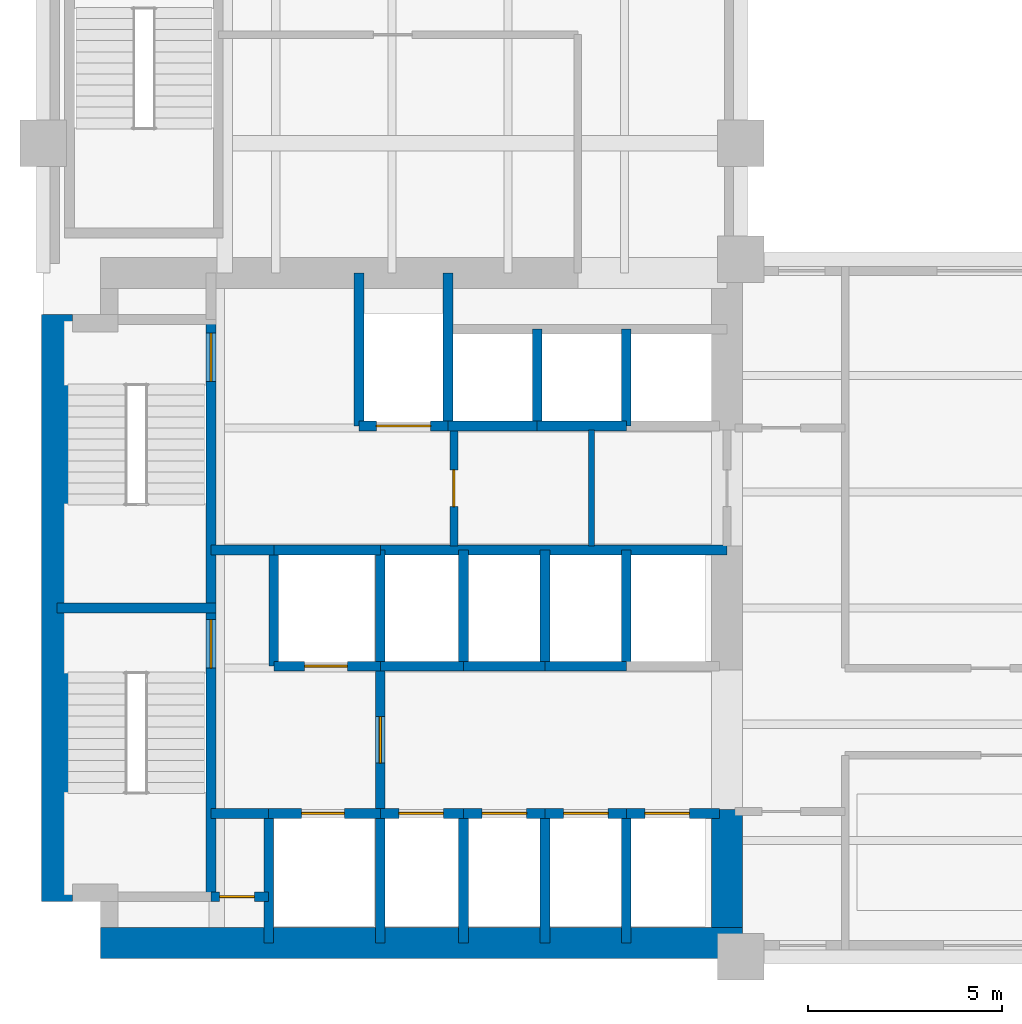
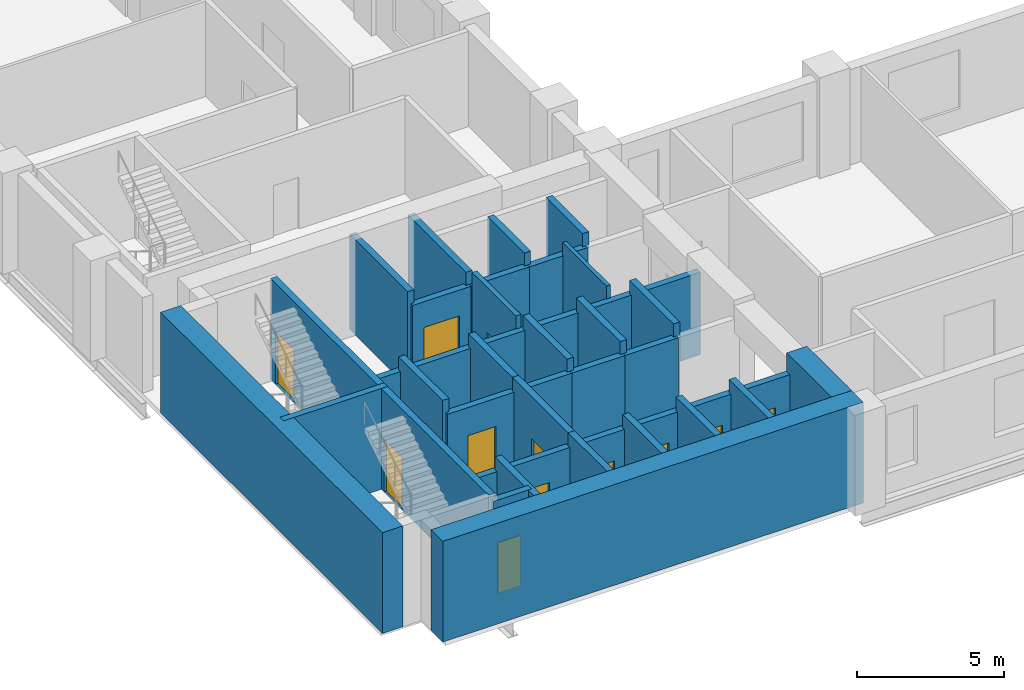
# One storey, part 3 of 7: 40 walls, 12 doors, 12 openings.
"""IFC4 building model written with IfcOpenShell, lengths in metres."""

from ifc_helpers import new_model, si_unit, direction, frame, frame_2d, origin, place, context, subcontext, project, spatial, rectangle, extrude, material, layer, layer_set, type_object, element, fill, save


model = new_model("IFC4")

# Units and contexts
model_context = context("Model", 3, precision=1e-05, world=origin(), true_north=direction((0.0, 1.0)))
body_context = subcontext(model_context, "Body", "Model", "MODEL_VIEW")
ifc_project = project(units=[si_unit("LENGTHUNIT", "METRE"), si_unit("AREAUNIT", "SQUARE_METRE"), si_unit("VOLUMEUNIT", "CUBIC_METRE"), si_unit("PLANEANGLEUNIT", "RADIAN"), si_unit("MASSUNIT", "GRAM", prefix="KILO")], contexts=[model_context])

# Site, building, storey
site_placement = place(None, origin())
site = spatial("IfcSite", under=ifc_project, at=site_placement, CompositionType="ELEMENT")
building_placement = place(site_placement, origin())
building = spatial("IfcBuilding", under=site, at=building_placement, Name="Mawjdan Bourse Tower", CompositionType="ELEMENT")
storey_placement = place(building_placement, frame((0.0, 0.0, 30.0)))
storey = spatial("IfcBuildingStorey", under=building, at=storey_placement, Name="L06", CompositionType="ELEMENT", Elevation=30.0)

# Wall, opening, door
ifc_material_1 = material(Name="Gypsum Fireboard Assembly")
ifc_layer_1 = layer(ifc_material_1, 0.199951171875)
ifc_layer_set_1 = layer_set([ifc_layer_1], Name="Gypsum Fireboard Assembly")
wall_type_1 = type_object("IfcWallType", Name="WL-CMP-200", PredefinedType="PARTITIONING", material=ifc_layer_set_1)
wall_1_placement = place(storey_placement, frame((16.60009765625, 13.60009765625, 0.0), z_axis=(0.0, 0.0, 1.0), x_axis=(0.0, 1.0, 0.0)))
wall_1 = element("IfcWall", 1, at=wall_1_placement, inside=storey, type_object=wall_type_1, Name="L06 Core Restroom West Wall", PredefinedType="PARTITIONING", context=body_context, shape_type="SweptSolid", body=[
    extrude(rectangle(XDim=3.0, YDim=0.199951171875, at=frame_2d((1.5, 0.0))), origin(), (0.0, 0.0, 1.0), 3.969970703125),
])
opening_1_placement = place(wall_1_placement, frame((1.02001953125, 0.0, 0.0)))
opening_1 = element("IfcOpeningElement", 2, at=opening_1_placement, cuts=wall_1, Name="Opening D-L06-14", PredefinedType="OPENING", context=body_context, shape_type="SweptSolid", body=[
    extrude(rectangle(XDim=0.949951171875, YDim=2.10009765625, at=frame_2d((0.47509765625, 1.050048828125))), frame((0.0, 0.10986328125, 0.0), z_axis=(0.0, -1.0, 0.0), x_axis=(1.0, 0.0, 0.0)), (0.0, 0.0, 1.0), 0.219970703125),
])
ifc_material_2 = material(Name="Moisture-Resistant Laminate Timber", Category="wood")
door_type_1 = type_object("IfcDoorType", Name="DR-WET-0950", OperationType="NOTDEFINED", PredefinedType="DOOR", material=ifc_material_2)
door_1_placement = place(opening_1_placement, origin())
door_1 = element("IfcDoor", 3, at=door_1_placement, inside=storey, type_object=door_type_1, Name="L06 Female Restroom Entry Door D-L06-14", OperationType="SINGLE_SWING_LEFT", OverallHeight=2.10009765625, OverallWidth=0.949951171875, PredefinedType="DOOR", context=body_context, shape_type="SweptSolid", body=[
    extrude(rectangle(XDim=0.949951171875, YDim=2.10009765625, at=frame_2d((0.47509765625, 1.050048828125))), frame((0.0, 0.02490234375, 0.0), z_axis=(0.0, -1.0, 0.0), x_axis=(1.0, 0.0, 0.0)), (0.0, 0.0, 1.0), 0.050048828125),
])
fill(opening_1, door_1)

# Walls
ifc_material_3 = material(Name="Concrete C80/95", Category="concrete")
ifc_layer_2 = layer(ifc_material_3, 0.800048828125)
ifc_layer_set_2 = layer_set([ifc_layer_2], Name="Concrete C80/95")
wall_type_2 = type_object("IfcWallType", Name="WL-CORE-800", PredefinedType="SHEAR", material=ifc_layer_set_2)
wall_2_placement = place(storey_placement, frame((7.47509765625, 3.35009765625, 0.0), z_axis=(0.0, 0.0, 1.0), x_axis=(1.0, 0.0, 0.0)))
element("IfcWall", 4, at=wall_2_placement, inside=storey, type_object=wall_type_2, Name="L06 Rear Core Shear Wall S", PredefinedType="SHEAR", context=body_context, shape_type="SweptSolid", body=[
    extrude(rectangle(XDim=16.574951171875, YDim=0.800048828125, at=frame_2d((8.28759765625, 0.0))), origin(), (0.0, 0.0, 1.0), 4.199951171875),
])
wall_3_placement = place(storey_placement, frame((6.35009765625, 4.425048828125, 0.0), z_axis=(0.0, 0.0, 1.0), x_axis=(0.0, 1.0, 0.0)))
element("IfcWall", 5, at=wall_3_placement, inside=storey, type_object=wall_type_2, Name="L06 Rear Core Shear Wall W", PredefinedType="SHEAR", context=body_context, shape_type="SweptSolid", body=[
    extrude(rectangle(XDim=15.14990234375, YDim=0.800048828125, at=frame_2d((7.574951171875, 0.0))), origin(), (0.0, 0.0, 1.0), 4.199951171875),
])
wall_4_placement = place(storey_placement, frame((23.64990234375, 3.75, 0.0), z_axis=(0.0, 0.0, 1.0), x_axis=(0.0, 1.0, 0.0)))
element("IfcWall", 6, at=wall_4_placement, inside=storey, type_object=wall_type_2, Name="L06 Rear Core Shear Wall E1", PredefinedType="SHEAR", context=body_context, shape_type="SweptSolid", body=[
    extrude(rectangle(XDim=3.050048828125, YDim=0.800048828125, at=frame_2d((1.52490234375, 0.0))), origin(), (0.0, 0.0, 1.0), 4.199951171875),
])
ifc_material_4 = material(Name="Gypsum Acoustic Partition")
ifc_layer_3 = layer(ifc_material_4, 0.14990234375)
ifc_layer_set_3 = layer_set([ifc_layer_3], Name="Gypsum Acoustic Partition")
wall_type_3 = type_object("IfcWallType", Name="WL-PRT-150", PredefinedType="PARTITIONING", material=ifc_layer_set_3)
wall_5_placement = place(storey_placement, frame((20.14990234375, 13.60009765625, 0.0), z_axis=(0.0, 0.0, 1.0), x_axis=(0.0, 1.0, 0.0)))
element("IfcWall", 7, at=wall_5_placement, inside=storey, type_object=wall_type_3, Name="L06 Core Restroom Vertical Split", PredefinedType="PARTITIONING", context=body_context, shape_type="SweptSolid", body=[
    extrude(rectangle(XDim=3.0, YDim=0.14990234375, at=frame_2d((1.5, 0.0))), origin(), (0.0, 0.0, 1.0), 3.969970703125),
])

# Wall, opening, door
ifc_material_5 = material(Name="Concrete C50/60", Category="concrete")
ifc_layer_4 = layer(ifc_material_5, 0.25)
ifc_layer_set_4 = layer_set([ifc_layer_4], Name="Concrete C50/60")
wall_type_4 = type_object("IfcWallType", Name="WL-SHFT-250", PredefinedType="PARTITIONING", material=ifc_layer_set_4)
wall_6_placement = place(storey_placement, frame((10.330078125, 4.550048828125, 0.0), z_axis=(0.0, 0.0, 1.0), x_axis=(1.0, 0.0, 0.0)))
wall_6 = element("IfcWall", 8, at=wall_6_placement, inside=storey, type_object=wall_type_4, Name="L06 SW Riser North Wall", PredefinedType="PARTITIONING", context=body_context, shape_type="SweptSolid", body=[
    extrude(rectangle(XDim=1.489990234375, YDim=0.25, at=frame_2d((0.7451171875, 0.0))), origin(), (0.0, 0.0, 1.0), 3.969970703125),
])
opening_2_placement = place(wall_6_placement, frame((0.219970703125, 0.0, 0.0)))
opening_2 = element("IfcOpeningElement", 9, at=opening_2_placement, cuts=wall_6, Name="Opening RD-L06-03", PredefinedType="OPENING", context=body_context, shape_type="SweptSolid", body=[
    extrude(rectangle(XDim=0.89990234375, YDim=2.10009765625, at=frame_2d((0.449951171875, 1.050048828125))), frame((0.0, 0.135009765625, 0.0), z_axis=(0.0, -1.0, 0.0), x_axis=(1.0, 0.0, 0.0)), (0.0, 0.0, 1.0), 0.27001953125),
])
ifc_material_6 = material(Name="Fire-Rated Steel Access Leaf", Category="steel")
door_type_2 = type_object("IfcDoorType", Name="FD-RSR-0900", OperationType="NOTDEFINED", PredefinedType="TRAPDOOR", material=ifc_material_6)
door_2_placement = place(opening_2_placement, origin())
door_2 = element("IfcDoor", 10, at=door_2_placement, inside=storey, type_object=door_type_2, Name="L06 Electrical Riser Access Door RD-L06-03", OperationType="SINGLE_SWING_LEFT", OverallHeight=2.10009765625, OverallWidth=0.89990234375, PredefinedType="TRAPDOOR", context=body_context, shape_type="SweptSolid", body=[
    extrude(rectangle(XDim=0.89990234375, YDim=2.10009765625, at=frame_2d((0.449951171875, 1.050048828125))), frame((0.0, 0.02490234375, 0.0), z_axis=(0.0, -1.0, 0.0), x_axis=(1.0, 0.0, 0.0)), (0.0, 0.0, 1.0), 0.050048828125),
])
fill(opening_2, door_2)

# Wall
wall_7_placement = place(storey_placement, frame((11.820068359375, 3.35009765625, 0.0), z_axis=(0.0, 0.0, 1.0), x_axis=(0.0, 1.0, 0.0)))
element("IfcWall", 11, at=wall_7_placement, inside=storey, type_object=wall_type_4, Name="L06 SW Riser & FFL01 West Wall", PredefinedType="PARTITIONING", context=body_context, shape_type="SweptSolid", body=[
    extrude(rectangle(XDim=3.349853515625, YDim=0.25, at=frame_2d((1.6748046875, 0.0))), origin(), (0.0, 0.0, 1.0), 3.969970703125),
])

# Wall, opening, door
wall_8_placement = place(storey_placement, frame((11.820068359375, 6.699951171875, 0.0), z_axis=(0.0, 0.0, 1.0), x_axis=(1.0, 0.0, 0.0)))
wall_8 = element("IfcWall", 12, at=wall_8_placement, inside=storey, type_object=wall_type_4, Name="L06 FFL-01 Front Shaft Wall", PredefinedType="PARTITIONING", context=body_context, shape_type="SweptSolid", body=[
    extrude(rectangle(XDim=2.8798828125, YDim=0.25, at=frame_2d((1.43994140625, 0.0))), origin(), (0.0, 0.0, 1.0), 3.426025390625),
])
opening_3_placement = place(wall_8_placement, frame((0.85009765625, 0.0, 0.0)))
opening_3 = element("IfcOpeningElement", 13, at=opening_3_placement, cuts=wall_8, Name="Opening LD-L06-05", PredefinedType="OPENING", context=body_context, shape_type="SweptSolid", body=[
    extrude(rectangle(XDim=1.10009765625, YDim=2.25, at=frame_2d((0.550048828125, 1.125))), frame((0.0, 0.135009765625, 0.0), z_axis=(0.0, -1.0, 0.0), x_axis=(1.0, 0.0, 0.0)), (0.0, 0.0, 1.0), 0.27001953125),
])
ifc_material_7 = material(Name="Brushed Stainless Steel", Category="steel")
door_type_3 = type_object("IfcDoorType", Name="LD-FFL-1100", OperationType="DOUBLE_DOOR_SLIDING", PredefinedType="DOOR", material=ifc_material_7)
door_3_placement = place(opening_3_placement, origin())
door_3 = element("IfcDoor", 14, at=door_3_placement, inside=storey, type_object=door_type_3, Name="L06 Firefighting Lift FFL-01 Landing Door LD-L06-05", OperationType="DOUBLE_DOOR_SLIDING", OverallHeight=2.25, OverallWidth=1.10009765625, PredefinedType="DOOR", context=body_context, shape_type="SweptSolid", body=[
    extrude(rectangle(XDim=1.10009765625, YDim=2.25, at=frame_2d((0.550048828125, 1.125))), frame((0.0, 0.02490234375, 0.0), z_axis=(0.0, -1.0, 0.0), x_axis=(1.0, 0.0, 0.0)), (0.0, 0.0, 1.0), 0.050048828125),
])
fill(opening_3, door_3)

# Wall
wall_9_placement = place(storey_placement, frame((14.699951171875, 3.35009765625, 0.0), z_axis=(0.0, 0.0, 1.0), x_axis=(0.0, 1.0, 0.0)))
element("IfcWall", 15, at=wall_9_placement, inside=storey, type_object=wall_type_4, Name="L06 FFL-01 East Shaft Wall", PredefinedType="PARTITIONING", context=body_context, shape_type="SweptSolid", body=[
    extrude(rectangle(XDim=3.349853515625, YDim=0.25, at=frame_2d((1.6748046875, 0.0))), origin(), (0.0, 0.0, 1.0), 3.969970703125),
])

# Wall, opening, door
wall_10_placement = place(storey_placement, frame((11.949951171875, 10.5, 0.0), z_axis=(0.0, 0.0, 1.0), x_axis=(1.0, 0.0, 0.0)))
wall_10 = element("IfcWall", 16, at=wall_10_placement, inside=storey, type_object=wall_type_4, Name="L06 FFL-02 Front Shaft Wall", PredefinedType="PARTITIONING", context=body_context, shape_type="SweptSolid", body=[
    extrude(rectangle(XDim=2.75, YDim=0.25, at=frame_2d((1.375, 0.0))), origin(), (0.0, 0.0, 1.0), 3.426025390625),
])
opening_4_placement = place(wall_10_placement, frame((0.800048828125, 0.0, 0.0)))
opening_4 = element("IfcOpeningElement", 17, at=opening_4_placement, cuts=wall_10, Name="Opening LD-L06-06", PredefinedType="OPENING", context=body_context, shape_type="SweptSolid", body=[
    extrude(rectangle(XDim=1.10009765625, YDim=2.25, at=frame_2d((0.550048828125, 1.125))), frame((0.0, 0.135009765625, 0.0), z_axis=(0.0, -1.0, 0.0), x_axis=(1.0, 0.0, 0.0)), (0.0, 0.0, 1.0), 0.27001953125),
])
door_4_placement = place(opening_4_placement, origin())
door_4 = element("IfcDoor", 18, at=door_4_placement, inside=storey, type_object=door_type_3, Name="L06 Firefighting Lift FFL-02 Landing Door LD-L06-06", OperationType="DOUBLE_DOOR_SLIDING", OverallHeight=2.25, OverallWidth=1.10009765625, PredefinedType="DOOR", context=body_context, shape_type="SweptSolid", body=[
    extrude(rectangle(XDim=1.10009765625, YDim=2.25, at=frame_2d((0.550048828125, 1.125))), frame((0.0, 0.02490234375, 0.0), z_axis=(0.0, -1.0, 0.0), x_axis=(1.0, 0.0, 0.0)), (0.0, 0.0, 1.0), 0.050048828125),
])
fill(opening_4, door_4)

# Walls
wall_11_placement = place(storey_placement, frame((11.949951171875, 10.5, 0.0), z_axis=(0.0, 0.0, 1.0), x_axis=(0.0, 1.0, 0.0)))
element("IfcWall", 19, at=wall_11_placement, inside=storey, type_object=wall_type_4, Name="L06 FFL-02 West Shaft Wall", PredefinedType="PARTITIONING", context=body_context, shape_type="SweptSolid", body=[
    extrude(rectangle(XDim=3.0, YDim=0.25, at=frame_2d((1.5, 0.0))), origin(), (0.0, 0.0, 1.0), 3.969970703125),
])
wall_12_placement = place(storey_placement, frame((11.949951171875, 13.5, 0.0), z_axis=(0.0, 0.0, 1.0), x_axis=(1.0, 0.0, 0.0)))
element("IfcWall", 20, at=wall_12_placement, inside=storey, type_object=wall_type_4, Name="L06 FFL-02 North Shaft Wall", PredefinedType="PARTITIONING", context=body_context, shape_type="SweptSolid", body=[
    extrude(rectangle(XDim=2.75, YDim=0.25, at=frame_2d((1.375, 0.0))), origin(), (0.0, 0.0, 1.0), 3.426025390625),
])
wall_13_placement = place(storey_placement, frame((14.699951171875, 10.5, 0.0), z_axis=(0.0, 0.0, 1.0), x_axis=(0.0, 1.0, 0.0)))
element("IfcWall", 21, at=wall_13_placement, inside=storey, type_object=wall_type_4, Name="L06 FFL-02 East Shaft Wall", PredefinedType="PARTITIONING", context=body_context, shape_type="SweptSolid", body=[
    extrude(rectangle(XDim=3.0, YDim=0.25, at=frame_2d((1.5, 0.0))), origin(), (0.0, 0.0, 1.0), 3.969970703125),
])

# Wall, opening, door
wall_14_placement = place(storey_placement, frame((14.699951171875, 6.699951171875, 0.0), z_axis=(0.0, 0.0, 1.0), x_axis=(0.0, 1.0, 0.0)))
wall_14 = element("IfcWall", 22, at=wall_14_placement, inside=storey, type_object=wall_type_4, Name="L06 Firefighting Lobby East Compartment Wall", PredefinedType="PARTITIONING", context=body_context, shape_type="SweptSolid", body=[
    extrude(rectangle(XDim=3.800048828125, YDim=0.25, at=frame_2d((1.89990234375, 0.0))), origin(), (0.0, 0.0, 1.0), 3.969970703125),
])
opening_5_placement = place(wall_14_placement, frame((1.300048828125, 0.0, 0.0)))
opening_5 = element("IfcOpeningElement", 23, at=opening_5_placement, cuts=wall_14, Name="Opening FD-L06-07", PredefinedType="OPENING", context=body_context, shape_type="SweptSolid", body=[
    extrude(rectangle(XDim=1.199951171875, YDim=2.199951171875, at=frame_2d((0.60009765625, 1.10009765625))), frame((0.0, 0.135009765625, 0.0), z_axis=(0.0, -1.0, 0.0), x_axis=(1.0, 0.0, 0.0)), (0.0, 0.0, 1.0), 0.27001953125),
])
ifc_material_8 = material(Name="Fire-Rated Steel Leaf", Category="steel")
door_type_4 = type_object("IfcDoorType", Name="FD-FFL-1200", OperationType="NOTDEFINED", PredefinedType="DOOR", material=ifc_material_8)
door_5_placement = place(opening_5_placement, origin())
door_5 = element("IfcDoor", 24, at=door_5_placement, inside=storey, type_object=door_type_4, Name="L06 Firefighting Lobby East Smoke Door FD-L06-07", OperationType="SINGLE_SWING_LEFT", OverallHeight=2.199951171875, OverallWidth=1.199951171875, PredefinedType="DOOR", context=body_context, shape_type="SweptSolid", body=[
    extrude(rectangle(XDim=1.199951171875, YDim=2.199951171875, at=frame_2d((0.60009765625, 1.10009765625))), frame((0.0, 0.02490234375, 0.0), z_axis=(0.0, -1.0, 0.0), x_axis=(1.0, 0.0, 0.0)), (0.0, 0.0, 1.0), 0.050048828125),
])
fill(opening_5, door_5)

# Walls
wall_15_placement = place(storey_placement, frame((10.330078125, 13.5, 0.0), z_axis=(0.0, 0.0, 1.0), x_axis=(1.0, 0.0, 0.0)))
element("IfcWall", 25, at=wall_15_placement, inside=storey, type_object=wall_type_4, Name="L06 Firefighting Lobby North Compartment Wall", PredefinedType="PARTITIONING", context=body_context, shape_type="SweptSolid", body=[
    extrude(rectangle(XDim=1.619873046875, YDim=0.25, at=frame_2d((0.81005859375, 0.0))), origin(), (0.0, 0.0, 1.0), 3.426025390625),
])
wall_16_placement = place(storey_placement, frame((10.330078125, 6.699951171875, 0.0), z_axis=(0.0, 0.0, 1.0), x_axis=(1.0, 0.0, 0.0)))
element("IfcWall", 26, at=wall_16_placement, inside=storey, type_object=wall_type_4, Name="L06 Firefighting Lobby South Closure Wall", PredefinedType="PARTITIONING", context=body_context, shape_type="SweptSolid", body=[
    extrude(rectangle(XDim=1.489990234375, YDim=0.25, at=frame_2d((0.7451171875, 0.0))), origin(), (0.0, 0.0, 1.0), 3.426025390625),
])

# Wall, opening, door
wall_17_placement = place(storey_placement, frame((14.14990234375, 16.699951171875, 0.0), z_axis=(0.0, 0.0, 1.0), x_axis=(1.0, 0.0, 0.0)))
wall_17 = element("IfcWall", 27, at=wall_17_placement, inside=storey, type_object=wall_type_4, Name="L06 SVL-01 Front Shaft Wall", PredefinedType="PARTITIONING", context=body_context, shape_type="SweptSolid", body=[
    extrude(rectangle(XDim=2.300048828125, YDim=0.25, at=frame_2d((1.14990234375, 0.0))), origin(), (0.0, 0.0, 1.0), 3.426025390625),
])
opening_6_placement = place(wall_17_placement, frame((0.449951171875, 0.0, 0.0)))
opening_6 = element("IfcOpeningElement", 28, at=opening_6_placement, cuts=wall_17, Name="Opening LD-L06-09", PredefinedType="OPENING", context=body_context, shape_type="SweptSolid", body=[
    extrude(rectangle(XDim=1.39990234375, YDim=2.35009765625, at=frame_2d((0.699951171875, 1.175048828125))), frame((0.0, 0.135009765625, 0.0), z_axis=(0.0, -1.0, 0.0), x_axis=(1.0, 0.0, 0.0)), (0.0, 0.0, 1.0), 0.27001953125),
])
ifc_material_9 = material(Name="Heavy-Duty Stainless Steel", Category="steel")
door_type_5 = type_object("IfcDoorType", Name="LD-SRV-1400", OperationType="DOUBLE_DOOR_SLIDING", PredefinedType="DOOR", material=ifc_material_9)
door_6_placement = place(opening_6_placement, origin())
door_6 = element("IfcDoor", 29, at=door_6_placement, inside=storey, type_object=door_type_5, Name="L06 Service Lift SVL-01 Landing Door LD-L06-09", OperationType="DOUBLE_DOOR_SLIDING", OverallHeight=2.35009765625, OverallWidth=1.39990234375, PredefinedType="DOOR", context=body_context, shape_type="SweptSolid", body=[
    extrude(rectangle(XDim=1.39990234375, YDim=2.35009765625, at=frame_2d((0.699951171875, 1.175048828125))), frame((0.0, 0.02490234375, 0.0), z_axis=(0.0, -1.0, 0.0), x_axis=(1.0, 0.0, 0.0)), (0.0, 0.0, 1.0), 0.050048828125),
])
fill(opening_6, door_6)

# Walls
for number, where, z_axis, x_axis, name in (
    (30, (14.14990234375, 16.699951171875, 0.0), (0.0, 0.0, 1.0), (0.0, 1.0, 0.0), "L06 SVL-01 West Shaft Wall"),
    (31, (16.449951171875, 16.699951171875, 0.0), (0.0, 0.0, 1.0), (0.0, 1.0, 0.0), "L06 SVL-01 East Shaft Wall"),
):
    element("IfcWall", number, at=place(storey_placement, frame(where, z_axis=z_axis, x_axis=x_axis)), inside=storey, type_object=wall_type_4, Name=name, PredefinedType="PARTITIONING", context=body_context, shape_type="SweptSolid", body=[
        extrude(rectangle(XDim=3.949951171875, YDim=0.25, at=frame_2d((1.97509765625, 0.0))), origin(), (0.0, 0.0, 1.0), 3.969970703125),
    ])
wall_18_placement = place(storey_placement, frame((16.449951171875, 16.699951171875, 0.0), z_axis=(0.0, 0.0, 1.0), x_axis=(1.0, 0.0, 0.0)))
element("IfcWall", 32, at=wall_18_placement, inside=storey, type_object=wall_type_4, Name="L06 PH-01 Front Wall", PredefinedType="PARTITIONING", context=body_context, shape_type="SweptSolid", body=[
    extrude(rectangle(XDim=2.300048828125, YDim=0.25, at=frame_2d((1.14990234375, 0.0))), origin(), (0.0, 0.0, 1.0), 3.426025390625),
])
wall_19_placement = place(storey_placement, frame((18.75, 16.699951171875, 0.0), z_axis=(0.0, 0.0, 1.0), x_axis=(0.0, 1.0, 0.0)))
element("IfcWall", 33, at=wall_19_placement, inside=storey, type_object=wall_type_4, Name="L06 PH-01 Divider Wall", PredefinedType="PARTITIONING", context=body_context, shape_type="SweptSolid", body=[
    extrude(rectangle(XDim=2.5, YDim=0.25, at=frame_2d((1.25, 0.0))), origin(), (0.0, 0.0, 1.0), 3.969970703125),
])
wall_20_placement = place(storey_placement, frame((18.75, 16.699951171875, 0.0), z_axis=(0.0, 0.0, 1.0), x_axis=(1.0, 0.0, 0.0)))
element("IfcWall", 34, at=wall_20_placement, inside=storey, type_object=wall_type_4, Name="L06 PH-02 Front Wall", PredefinedType="PARTITIONING", context=body_context, shape_type="SweptSolid", body=[
    extrude(rectangle(XDim=2.300048828125, YDim=0.25, at=frame_2d((1.14990234375, 0.0))), origin(), (0.0, 0.0, 1.0), 3.426025390625),
])
wall_21_placement = place(storey_placement, frame((21.050048828125, 16.699951171875, 0.0), z_axis=(0.0, 0.0, 1.0), x_axis=(0.0, 1.0, 0.0)))
element("IfcWall", 35, at=wall_21_placement, inside=storey, type_object=wall_type_4, Name="L06 PH-02 Divider Wall", PredefinedType="PARTITIONING", context=body_context, shape_type="SweptSolid", body=[
    extrude(rectangle(XDim=2.5, YDim=0.25, at=frame_2d((1.25, 0.0))), origin(), (0.0, 0.0, 1.0), 3.969970703125),
])

# Wall, opening, door
wall_22_placement = place(storey_placement, frame((14.699951171875, 6.699951171875, 0.0), z_axis=(0.0, 0.0, 1.0), x_axis=(1.0, 0.0, 0.0)))
wall_22 = element("IfcWall", 36, at=wall_22_placement, inside=storey, type_object=wall_type_4, Name="L06 PL-04 Front Wall", PredefinedType="PARTITIONING", context=body_context, shape_type="SweptSolid", body=[
    extrude(rectangle(XDim=2.150146484375, YDim=0.25, at=frame_2d((1.0751953125, 0.0))), origin(), (0.0, 0.0, 1.0), 3.426025390625),
])
opening_7_placement = place(wall_22_placement, frame((0.47998046875, 0.0, 0.0)))
opening_7 = element("IfcOpeningElement", 37, at=opening_7_placement, cuts=wall_22, Name="Opening LD-L06-10", PredefinedType="OPENING", context=body_context, shape_type="SweptSolid", body=[
    extrude(rectangle(XDim=1.14990234375, YDim=2.25, at=frame_2d((0.574951171875, 1.125))), frame((0.0, 0.135009765625, 0.0), z_axis=(0.0, -1.0, 0.0), x_axis=(1.0, 0.0, 0.0)), (0.0, 0.0, 1.0), 0.27001953125),
])
door_type_6 = type_object("IfcDoorType", Name="LD-PAS-1150", OperationType="DOUBLE_DOOR_SLIDING", PredefinedType="DOOR", material=ifc_material_7)
door_7_placement = place(opening_7_placement, origin())
door_7 = element("IfcDoor", 38, at=door_7_placement, inside=storey, type_object=door_type_6, Name="L06 Lift PL-04 Landing Door LD-L06-10", OperationType="DOUBLE_DOOR_SLIDING", OverallHeight=2.25, OverallWidth=1.14990234375, PredefinedType="DOOR", context=body_context, shape_type="SweptSolid", body=[
    extrude(rectangle(XDim=1.14990234375, YDim=2.25, at=frame_2d((0.574951171875, 1.125))), frame((0.0, 0.02490234375, 0.0), z_axis=(0.0, -1.0, 0.0), x_axis=(1.0, 0.0, 0.0)), (0.0, 0.0, 1.0), 0.050048828125),
])
fill(opening_7, door_7)

# Wall
wall_23_placement = place(storey_placement, frame((16.85009765625, 3.35009765625, 0.0), z_axis=(0.0, 0.0, 1.0), x_axis=(0.0, 1.0, 0.0)))
element("IfcWall", 39, at=wall_23_placement, inside=storey, type_object=wall_type_4, Name="L06 PL-04 Divider Wall", PredefinedType="PARTITIONING", context=body_context, shape_type="SweptSolid", body=[
    extrude(rectangle(XDim=3.349853515625, YDim=0.25, at=frame_2d((1.6748046875, 0.0))), origin(), (0.0, 0.0, 1.0), 3.969970703125),
])

# Wall, opening, door
wall_24_placement = place(storey_placement, frame((16.85009765625, 6.699951171875, 0.0), z_axis=(0.0, 0.0, 1.0), x_axis=(1.0, 0.0, 0.0)))
wall_24 = element("IfcWall", 40, at=wall_24_placement, inside=storey, type_object=wall_type_4, Name="L06 PL-01 Front Wall", PredefinedType="PARTITIONING", context=body_context, shape_type="SweptSolid", body=[
    extrude(rectangle(XDim=2.099853515625, YDim=0.25, at=frame_2d((1.0498046875, 0.0))), origin(), (0.0, 0.0, 1.0), 3.426025390625),
])
opening_8_placement = place(wall_24_placement, frame((0.47998046875, 0.0, 0.0)))
opening_8 = element("IfcOpeningElement", 41, at=opening_8_placement, cuts=wall_24, Name="Opening LD-L06-11", PredefinedType="OPENING", context=body_context, shape_type="SweptSolid", body=[
    extrude(rectangle(XDim=1.14990234375, YDim=2.25, at=frame_2d((0.574951171875, 1.125))), frame((0.0, 0.135009765625, 0.0), z_axis=(0.0, -1.0, 0.0), x_axis=(1.0, 0.0, 0.0)), (0.0, 0.0, 1.0), 0.27001953125),
])
door_8_placement = place(opening_8_placement, origin())
door_8 = element("IfcDoor", 42, at=door_8_placement, inside=storey, type_object=door_type_6, Name="L06 Lift PL-01 Landing Door LD-L06-11", OperationType="DOUBLE_DOOR_SLIDING", OverallHeight=2.25, OverallWidth=1.14990234375, PredefinedType="DOOR", context=body_context, shape_type="SweptSolid", body=[
    extrude(rectangle(XDim=1.14990234375, YDim=2.25, at=frame_2d((0.574951171875, 1.125))), frame((0.0, 0.02490234375, 0.0), z_axis=(0.0, -1.0, 0.0), x_axis=(1.0, 0.0, 0.0)), (0.0, 0.0, 1.0), 0.050048828125),
])
fill(opening_8, door_8)

# Wall
wall_25_placement = place(storey_placement, frame((18.949951171875, 3.35009765625, 0.0), z_axis=(0.0, 0.0, 1.0), x_axis=(0.0, 1.0, 0.0)))
element("IfcWall", 43, at=wall_25_placement, inside=storey, type_object=wall_type_4, Name="L06 PL-01 Divider Wall", PredefinedType="PARTITIONING", context=body_context, shape_type="SweptSolid", body=[
    extrude(rectangle(XDim=3.349853515625, YDim=0.25, at=frame_2d((1.6748046875, 0.0))), origin(), (0.0, 0.0, 1.0), 3.969970703125),
])

# Wall, opening, door
wall_26_placement = place(storey_placement, frame((18.949951171875, 6.699951171875, 0.0), z_axis=(0.0, 0.0, 1.0), x_axis=(1.0, 0.0, 0.0)))
wall_26 = element("IfcWall", 44, at=wall_26_placement, inside=storey, type_object=wall_type_4, Name="L06 PL-02 Front Wall", PredefinedType="PARTITIONING", context=body_context, shape_type="SweptSolid", body=[
    extrude(rectangle(XDim=2.10009765625, YDim=0.25, at=frame_2d((1.050048828125, 0.0))), origin(), (0.0, 0.0, 1.0), 3.426025390625),
])
opening_9_placement = place(wall_26_placement, frame((0.47998046875, 0.0, 0.0)))
opening_9 = element("IfcOpeningElement", 45, at=opening_9_placement, cuts=wall_26, Name="Opening LD-L06-12", PredefinedType="OPENING", context=body_context, shape_type="SweptSolid", body=[
    extrude(rectangle(XDim=1.14990234375, YDim=2.25, at=frame_2d((0.574951171875, 1.125))), frame((0.0, 0.135009765625, 0.0), z_axis=(0.0, -1.0, 0.0), x_axis=(1.0, 0.0, 0.0)), (0.0, 0.0, 1.0), 0.27001953125),
])
door_9_placement = place(opening_9_placement, origin())
door_9 = element("IfcDoor", 46, at=door_9_placement, inside=storey, type_object=door_type_6, Name="L06 Lift PL-02 Landing Door LD-L06-12", OperationType="DOUBLE_DOOR_SLIDING", OverallHeight=2.25, OverallWidth=1.14990234375, PredefinedType="DOOR", context=body_context, shape_type="SweptSolid", body=[
    extrude(rectangle(XDim=1.14990234375, YDim=2.25, at=frame_2d((0.574951171875, 1.125))), frame((0.0, 0.02490234375, 0.0), z_axis=(0.0, -1.0, 0.0), x_axis=(1.0, 0.0, 0.0)), (0.0, 0.0, 1.0), 0.050048828125),
])
fill(opening_9, door_9)

# Wall
wall_27_placement = place(storey_placement, frame((21.050048828125, 3.35009765625, 0.0), z_axis=(0.0, 0.0, 1.0), x_axis=(0.0, 1.0, 0.0)))
element("IfcWall", 47, at=wall_27_placement, inside=storey, type_object=wall_type_4, Name="L06 PL-02 Divider Wall", PredefinedType="PARTITIONING", context=body_context, shape_type="SweptSolid", body=[
    extrude(rectangle(XDim=3.349853515625, YDim=0.25, at=frame_2d((1.6748046875, 0.0))), origin(), (0.0, 0.0, 1.0), 3.969970703125),
])

# Wall, opening, door
wall_28_placement = place(storey_placement, frame((21.050048828125, 6.699951171875, 0.0), z_axis=(0.0, 0.0, 1.0), x_axis=(1.0, 0.0, 0.0)))
wall_28 = element("IfcWall", 48, at=wall_28_placement, inside=storey, type_object=wall_type_4, Name="L06 PL-03 Front Wall", PredefinedType="PARTITIONING", context=body_context, shape_type="SweptSolid", body=[
    extrude(rectangle(XDim=2.39990234375, YDim=0.25, at=frame_2d((1.199951171875, 0.0))), origin(), (0.0, 0.0, 1.0), 3.426025390625),
])
opening_10_placement = place(wall_28_placement, frame((0.47998046875, 0.0, 0.0)))
opening_10 = element("IfcOpeningElement", 49, at=opening_10_placement, cuts=wall_28, Name="Opening LD-L06-13", PredefinedType="OPENING", context=body_context, shape_type="SweptSolid", body=[
    extrude(rectangle(XDim=1.14990234375, YDim=2.25, at=frame_2d((0.574951171875, 1.125))), frame((0.0, 0.135009765625, 0.0), z_axis=(0.0, -1.0, 0.0), x_axis=(1.0, 0.0, 0.0)), (0.0, 0.0, 1.0), 0.27001953125),
])
door_10_placement = place(opening_10_placement, origin())
door_10 = element("IfcDoor", 50, at=door_10_placement, inside=storey, type_object=door_type_6, Name="L06 Lift PL-03 Landing Door LD-L06-13", OperationType="DOUBLE_DOOR_SLIDING", OverallHeight=2.25, OverallWidth=1.14990234375, PredefinedType="DOOR", context=body_context, shape_type="SweptSolid", body=[
    extrude(rectangle(XDim=1.14990234375, YDim=2.25, at=frame_2d((0.574951171875, 1.125))), frame((0.0, 0.02490234375, 0.0), z_axis=(0.0, -1.0, 0.0), x_axis=(1.0, 0.0, 0.0)), (0.0, 0.0, 1.0), 0.050048828125),
])
fill(opening_10, door_10)

# Walls
wall_29_placement = place(storey_placement, frame((14.699951171875, 10.5, 0.0), z_axis=(0.0, 0.0, 1.0), x_axis=(1.0, 0.0, 0.0)))
element("IfcWall", 51, at=wall_29_placement, inside=storey, type_object=wall_type_4, Name="L06 PM-01 Front Wall", PredefinedType="PARTITIONING", context=body_context, shape_type="SweptSolid", body=[
    extrude(rectangle(XDim=2.150146484375, YDim=0.25, at=frame_2d((1.0751953125, 0.0))), origin(), (0.0, 0.0, 1.0), 3.426025390625),
])
wall_30_placement = place(storey_placement, frame((16.85009765625, 10.5, 0.0), z_axis=(0.0, 0.0, 1.0), x_axis=(0.0, 1.0, 0.0)))
element("IfcWall", 52, at=wall_30_placement, inside=storey, type_object=wall_type_4, Name="L06 PM-01 Divider Wall", PredefinedType="PARTITIONING", context=body_context, shape_type="SweptSolid", body=[
    extrude(rectangle(XDim=3.0, YDim=0.25, at=frame_2d((1.5, 0.0))), origin(), (0.0, 0.0, 1.0), 3.969970703125),
])
wall_31_placement = place(storey_placement, frame((16.85009765625, 10.5, 0.0), z_axis=(0.0, 0.0, 1.0), x_axis=(1.0, 0.0, 0.0)))
element("IfcWall", 53, at=wall_31_placement, inside=storey, type_object=wall_type_4, Name="L06 PM-02 Front Wall", PredefinedType="PARTITIONING", context=body_context, shape_type="SweptSolid", body=[
    extrude(rectangle(XDim=2.099853515625, YDim=0.25, at=frame_2d((1.0498046875, 0.0))), origin(), (0.0, 0.0, 1.0), 3.426025390625),
])
wall_32_placement = place(storey_placement, frame((18.949951171875, 10.5, 0.0), z_axis=(0.0, 0.0, 1.0), x_axis=(0.0, 1.0, 0.0)))
element("IfcWall", 54, at=wall_32_placement, inside=storey, type_object=wall_type_4, Name="L06 PM-02 Divider Wall", PredefinedType="PARTITIONING", context=body_context, shape_type="SweptSolid", body=[
    extrude(rectangle(XDim=3.0, YDim=0.25, at=frame_2d((1.5, 0.0))), origin(), (0.0, 0.0, 1.0), 3.969970703125),
])
wall_33_placement = place(storey_placement, frame((18.949951171875, 10.5, 0.0), z_axis=(0.0, 0.0, 1.0), x_axis=(1.0, 0.0, 0.0)))
element("IfcWall", 55, at=wall_33_placement, inside=storey, type_object=wall_type_4, Name="L06 PM-03 Front Wall", PredefinedType="PARTITIONING", context=body_context, shape_type="SweptSolid", body=[
    extrude(rectangle(XDim=2.10009765625, YDim=0.25, at=frame_2d((1.050048828125, 0.0))), origin(), (0.0, 0.0, 1.0), 3.426025390625),
])
wall_34_placement = place(storey_placement, frame((21.050048828125, 10.5, 0.0), z_axis=(0.0, 0.0, 1.0), x_axis=(0.0, 1.0, 0.0)))
element("IfcWall", 56, at=wall_34_placement, inside=storey, type_object=wall_type_4, Name="L06 PM-03 Divider Wall", PredefinedType="PARTITIONING", context=body_context, shape_type="SweptSolid", body=[
    extrude(rectangle(XDim=3.0, YDim=0.25, at=frame_2d((1.5, 0.0))), origin(), (0.0, 0.0, 1.0), 3.969970703125),
])
wall_35_placement = place(storey_placement, frame((14.699951171875, 13.5, 0.0), z_axis=(0.0, 0.0, 1.0), x_axis=(1.0, 0.0, 0.0)))
element("IfcWall", 57, at=wall_35_placement, inside=storey, type_object=wall_type_4, Name="L06 PM Bank North Shaft Back Wall", PredefinedType="PARTITIONING", context=body_context, shape_type="SweptSolid", body=[
    extrude(rectangle(XDim=8.949951171875, YDim=0.25, at=frame_2d((4.47509765625, 0.0))), origin(), (0.0, 0.0, 1.0), 3.426025390625),
])
ifc_layer_5 = layer(ifc_material_5, 0.25)
ifc_layer_set_5 = layer_set([ifc_layer_5], Name="Concrete C50/60")
wall_type_5 = type_object("IfcWallType", Name="WL-STRW-250", PredefinedType="SHEAR", material=ifc_layer_set_5)
wall_36_placement = place(storey_placement, frame((6.35009765625, 12.0, 0.0), z_axis=(0.0, 0.0, 1.0), x_axis=(1.0, 0.0, 0.0)))
element("IfcWall", 58, at=wall_36_placement, inside=storey, type_object=wall_type_5, Name="L06 Stairwell Dividing Shaft Wall", PredefinedType="SHEAR", context=body_context, shape_type="SweptSolid", body=[
    extrude(rectangle(XDim=4.10498046875, YDim=0.25, at=frame_2d((2.052490234375, 0.0))), origin(), (0.0, 0.0, 1.0), 4.199951171875),
])

# Wall, opening, door
wall_37_placement = place(storey_placement, frame((10.330078125, 4.550048828125, 0.0), z_axis=(0.0, 0.0, 1.0), x_axis=(0.0, 1.0, 0.0)))
wall_37 = element("IfcWall", 59, at=wall_37_placement, inside=storey, type_object=wall_type_5, Name="L06 Stairwell ST1 East Enclosure Wall", PredefinedType="SHEAR", context=body_context, shape_type="SweptSolid", body=[
    extrude(rectangle(XDim=7.449951171875, YDim=0.25, at=frame_2d((3.72509765625, 0.0))), origin(), (0.0, 0.0, 1.0), 4.199951171875),
])
opening_11_placement = place(wall_37_placement, frame((5.89990234375, 0.0, 0.0)))
opening_11 = element("IfcOpeningElement", 60, at=opening_11_placement, cuts=wall_37, Name="Opening SD-L06-01", PredefinedType="OPENING", context=body_context, shape_type="SweptSolid", body=[
    extrude(rectangle(XDim=1.25, YDim=2.199951171875, at=frame_2d((0.625, 1.10009765625))), frame((0.0, 0.135009765625, 0.0), z_axis=(0.0, -1.0, 0.0), x_axis=(1.0, 0.0, 0.0)), (0.0, 0.0, 1.0), 0.27001953125),
])
door_type_7 = type_object("IfcDoorType", Name="FD-ST-1250", OperationType="NOTDEFINED", PredefinedType="DOOR", material=ifc_material_8)
door_11_placement = place(opening_11_placement, origin())
door_11 = element("IfcDoor", 61, at=door_11_placement, inside=storey, type_object=door_type_7, Name="L06 Exit Stair ST1 Fire Door SD-L06-01", OperationType="SINGLE_SWING_LEFT", OverallHeight=2.199951171875, OverallWidth=1.25, PredefinedType="DOOR", context=body_context, shape_type="SweptSolid", body=[
    extrude(rectangle(XDim=1.25, YDim=2.199951171875, at=frame_2d((0.625, 1.10009765625))), frame((0.0, 0.02490234375, 0.0), z_axis=(0.0, -1.0, 0.0), x_axis=(1.0, 0.0, 0.0)), (0.0, 0.0, 1.0), 0.050048828125),
])
fill(opening_11, door_11)

wall_38_placement = place(storey_placement, frame((10.330078125, 12.0, 0.0), z_axis=(0.0, 0.0, 1.0), x_axis=(0.0, 1.0, 0.0)))
wall_38 = element("IfcWall", 62, at=wall_38_placement, inside=storey, type_object=wall_type_5, Name="L06 Stairwell ST2 East Enclosure Wall", PredefinedType="SHEAR", context=body_context, shape_type="SweptSolid", body=[
    extrude(rectangle(XDim=7.449951171875, YDim=0.25, at=frame_2d((3.72509765625, 0.0))), origin(), (0.0, 0.0, 1.0), 4.199951171875),
])
opening_12_placement = place(wall_38_placement, frame((5.85009765625, 0.0, 0.0)))
opening_12 = element("IfcOpeningElement", 63, at=opening_12_placement, cuts=wall_38, Name="Opening SD-L06-02", PredefinedType="OPENING", context=body_context, shape_type="SweptSolid", body=[
    extrude(rectangle(XDim=1.25, YDim=2.199951171875, at=frame_2d((0.625, 1.10009765625))), frame((0.0, 0.135009765625, 0.0), z_axis=(0.0, -1.0, 0.0), x_axis=(1.0, 0.0, 0.0)), (0.0, 0.0, 1.0), 0.27001953125),
])
door_12_placement = place(opening_12_placement, origin())
door_12 = element("IfcDoor", 64, at=door_12_placement, inside=storey, type_object=door_type_7, Name="L06 Exit Stair ST2 Fire Door SD-L06-02", OperationType="SINGLE_SWING_RIGHT", OverallHeight=2.199951171875, OverallWidth=1.25, PredefinedType="DOOR", context=body_context, shape_type="SweptSolid", body=[
    extrude(rectangle(XDim=1.25, YDim=2.199951171875, at=frame_2d((0.625, 1.10009765625))), frame((0.0, 0.02490234375, 0.0), z_axis=(0.0, -1.0, 0.0), x_axis=(1.0, 0.0, 0.0)), (0.0, 0.0, 1.0), 0.050048828125),
])
fill(opening_12, door_12)

save(model, "model.ifc")
